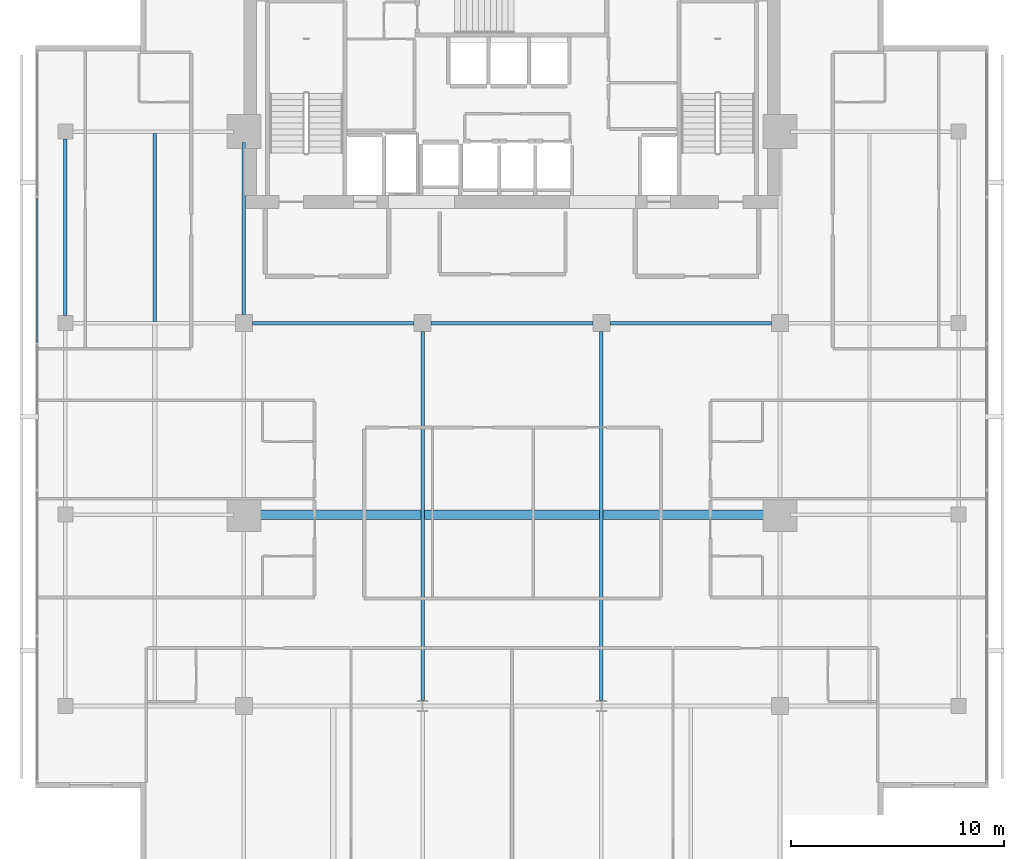
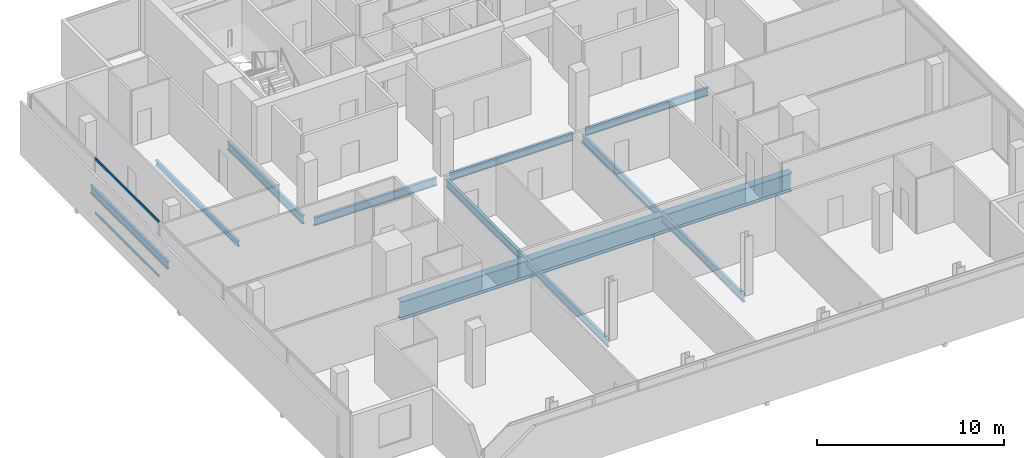
# One storey, part 9 of 25: 9 beams, 2 members, 1 element without a shape of its own.
"""IFC4 building model written with IfcOpenShell, lengths in metres."""

from ifc_helpers import new_model, si_unit, direction, frame, origin, origin_2d, place, context, subcontext, project, spatial, hollow_rectangle, i_section, extrude, material, layer, layer_set, material_profile, profile_set, type_object, element, aggregate, save


model = new_model("IFC4")

# Units and contexts
model_context = context("Model", 3, precision=1e-05, world=origin(), true_north=direction((0.0, 1.0)))
body_context = subcontext(model_context, "Body", "Model", "MODEL_VIEW")
ifc_project = project(units=[si_unit("LENGTHUNIT", "METRE"), si_unit("AREAUNIT", "SQUARE_METRE"), si_unit("VOLUMEUNIT", "CUBIC_METRE"), si_unit("PLANEANGLEUNIT", "RADIAN"), si_unit("MASSUNIT", "GRAM", prefix="KILO")], contexts=[model_context])

# Site, building, storey
site_placement = place(None, origin())
site = spatial("IfcSite", under=ifc_project, at=site_placement, CompositionType="ELEMENT")
building_placement = place(site_placement, origin())
building = spatial("IfcBuilding", under=site, at=building_placement, Name="Maruvema Waterfront Hotel and Observation Tower", CompositionType="ELEMENT")
storey_placement = place(building_placement, frame((0.0, 0.0, 281.75)))
storey = spatial("IfcBuildingStorey", under=building, at=storey_placement, Name="L69", CompositionType="ELEMENT", Elevation=281.75)

# Curtain wall, members
ifc_material_1 = material(Name="Anodised bronze aluminium and solar-control low-E IGU", Category="aluminium")
ifc_layer = layer(ifc_material_1, 0.159912109375, Name="Zone 3 Champagne Inner Thermal Curtain Wall System CW-04")
ifc_layer_set = layer_set([ifc_layer], Name="Anodised bronze aluminium and solar-control low-E IGU")
curtain_wall_type = type_object("IfcCurtainWallType", Name="Zone 3 Champagne Inner Thermal Curtain Wall System CW-04", PredefinedType="USERDEFINED", material=ifc_layer_set)
curtain_wall_placement = place(storey_placement, origin())
curtain_wall = element("IfcCurtainWall", 1, at=curtain_wall_placement, inside=storey, type_object=curtain_wall_type, Name="L69 Curtain Wall CW-L69-W", ObjectType="UNITISED CURTAIN WALL", PredefinedType="USERDEFINED")
ifc_material_2 = material(Name="Anodised architectural bronze aluminium", Category="aluminium")
ifc_material_profile_1 = material_profile(ifc_material_2, hollow_rectangle(XDim=0.070068359375, YDim=0.14990234375, WallThickness=0.00390625, at=origin_2d()), Name="ALU-T70x150")
ifc_profile_set_1 = profile_set([ifc_material_profile_1], Name="Anodised architectural bronze aluminium")
member_type = type_object("IfcMemberType", Name="Curtain Wall Horizontal Transom ALU-T70x150", PredefinedType="USERDEFINED", material=ifc_profile_set_1)
member_1_placement = place(storey_placement, frame((15.47998046875, 41.889892578125, 0.030029296875), z_axis=(0.0, -1.0, 0.0), x_axis=(1.0, 0.0, 0.0)))
member_1 = element("IfcMember", 2, at=member_1_placement, type_object=member_type, Name="CW-04 transom 2.1", ObjectType="TRANSOM", PredefinedType="USERDEFINED", context=body_context, shape_type="SweptSolid", body=[
    extrude(hollow_rectangle(XDim=0.070068359375, YDim=0.14990234375, WallThickness=0.00390625, at=origin_2d()), origin(), (0.0, 0.0, 1.0), 6.81982421875),
])
member_2_placement = place(storey_placement, frame((15.47998046875, 41.889892578125, 3.580078125), z_axis=(0.0, -1.0, 0.0), x_axis=(1.0, 0.0, 0.0)))
member_2 = element("IfcMember", 3, at=member_2_placement, type_object=member_type, Name="CW-04 transom 2.2", ObjectType="TRANSOM", PredefinedType="USERDEFINED", context=body_context, shape_type="SweptSolid", body=[
    extrude(hollow_rectangle(XDim=0.070068359375, YDim=0.14990234375, WallThickness=0.00390625, at=origin_2d()), origin(), (0.0, 0.0, 1.0), 6.81982421875),
])
aggregate(curtain_wall, [member_1, member_2])

# Beams
ifc_material_3 = material(Name="Steel ASTM A572 Grade 50", Category="steel")
ifc_material_profile_2 = material_profile(ifc_material_3, i_section(OverallWidth=0.166015625, OverallDepth=0.529052734375, WebThickness=0.009765625, FlangeThickness=0.013671875, FilletRadius=0.014892578125, at=origin_2d()), Name="W530x74.0")
ifc_profile_set_2 = profile_set([ifc_material_profile_2], Name="Steel ASTM A572 Grade 50")
beam_type_1 = type_object("IfcBeamType", Name="Primary Floor Girder W530x74.0", PredefinedType="BEAM", material=ifc_profile_set_2)
beam_1_placement = place(storey_placement, frame((25.60009765625, 36.0, -0.50439453125), z_axis=(1.0, 0.0, 0.0), x_axis=(0.0, 1.0, 0.0)))
element("IfcBeam", 4, at=beam_1_placement, inside=storey, type_object=beam_type_1, Name="L69 Floor Girder EW-13", PredefinedType="BEAM", context=body_context, shape_type="SweptSolid", body=[
    extrude(i_section(OverallWidth=0.166015625, OverallDepth=0.529052734375, WebThickness=0.009765625, FlangeThickness=0.013671875, FilletRadius=0.014892578125, at=origin_2d()), origin(), (0.0, 0.0, 1.0), 7.599853515625),
])
for number, where, z_axis, x_axis, name in (
    (5, (34.0, 36.0, -0.50439453125), (1.0, 0.0, 0.0), (0.0, 1.0, 0.0), "L69 Floor Girder EW-14"),
    (6, (42.39990234375, 36.0, -0.50439453125), (1.0, 0.0, 0.0), (0.0, 1.0, 0.0), "L69 Floor Girder EW-15"),
):
    element("IfcBeam", number, at=place(storey_placement, frame(where, z_axis=z_axis, x_axis=x_axis)), inside=storey, type_object=beam_type_1, Name=name, PredefinedType="BEAM", context=body_context, shape_type="SweptSolid", body=[
        extrude(i_section(OverallWidth=0.166015625, OverallDepth=0.529052734375, WebThickness=0.009765625, FlangeThickness=0.013671875, FilletRadius=0.014892578125, at=origin_2d()), origin(), (0.0, 0.0, 1.0), 7.60009765625),
    ])
beam_2_placement = place(storey_placement, frame((16.800048828125, 36.35009765625, -0.50439453125), z_axis=(0.0, 1.0, 0.0), x_axis=(-1.0, 0.0, 0.0)))
element("IfcBeam", 7, at=beam_2_placement, inside=storey, type_object=beam_type_1, Name="L69 Floor Girder NS-03", PredefinedType="BEAM", context=body_context, shape_type="SweptSolid", body=[
    extrude(i_section(OverallWidth=0.166015625, OverallDepth=0.529052734375, WebThickness=0.009765625, FlangeThickness=0.013671875, FilletRadius=0.014892578125, at=origin_2d()), origin(), (0.0, 0.0, 1.0), 8.2998046875),
])
beam_3_placement = place(storey_placement, frame((25.199951171875, 36.39990234375, -0.50439453125), z_axis=(0.0, 1.0, 0.0), x_axis=(-1.0, 0.0, 0.0)))
element("IfcBeam", 8, at=beam_3_placement, inside=storey, type_object=beam_type_1, Name="L69 Floor Girder NS-07", PredefinedType="BEAM", context=body_context, shape_type="SweptSolid", body=[
    extrude(i_section(OverallWidth=0.166015625, OverallDepth=0.529052734375, WebThickness=0.009765625, FlangeThickness=0.013671875, FilletRadius=0.014892578125, at=origin_2d()), origin(), (0.0, 0.0, 1.0), 8.10009765625),
])
for number, where, z_axis, x_axis, name in (
    (9, (33.60009765625, 18.25, -0.50439453125), (0.0, 1.0, 0.0), (-1.0, 0.0, 0.0), "L69 Floor Girder NS-09"),
    (10, (42.0, 18.25, -0.50439453125), (0.0, 1.0, 0.0), (-1.0, 0.0, 0.0), "L69 Floor Girder NS-11"),
):
    element("IfcBeam", number, at=place(storey_placement, frame(where, z_axis=z_axis, x_axis=x_axis)), inside=storey, type_object=beam_type_1, Name=name, PredefinedType="BEAM", context=body_context, shape_type="SweptSolid", body=[
        extrude(i_section(OverallWidth=0.166015625, OverallDepth=0.529052734375, WebThickness=0.009765625, FlangeThickness=0.013671875, FilletRadius=0.014892578125, at=origin_2d()), origin(), (0.0, 0.0, 1.0), 17.35009765625),
    ])
ifc_material_4 = material(Name="Steel ASTM A572 Grade 50", Category="steel")
ifc_material_profile_3 = material_profile(ifc_material_4, i_section(OverallWidth=0.1708984375, OverallDepth=0.35498046875, WebThickness=0.007080078125, FlangeThickness=0.01171875, FilletRadius=0.014892578125, at=origin_2d()), Name="W360x51.0")
ifc_profile_set_3 = profile_set([ifc_material_profile_3], Name="Steel ASTM A572 Grade 50")
beam_type_2 = type_object("IfcBeamType", Name="Secondary Floor Joist W360x51.0", PredefinedType="JOIST", material=ifc_profile_set_3)
beam_4_placement = place(storey_placement, frame((21.0, 36.0830078125, -0.41748046875), z_axis=(0.0, 1.0, 0.0), x_axis=(-1.0, 0.0, 0.0)))
element("IfcBeam", 11, at=beam_4_placement, inside=storey, type_object=beam_type_2, Name="L69 Secondary Floor Joist JS-03", PredefinedType="JOIST", context=body_context, shape_type="SweptSolid", body=[
    extrude(i_section(OverallWidth=0.1708984375, OverallDepth=0.35498046875, WebThickness=0.007080078125, FlangeThickness=0.01171875, FilletRadius=0.014892578125, at=origin_2d()), origin(), (0.0, 0.0, 1.0), 8.833984375),
])
ifc_material_5 = material(Name="Steel ABNT NBR 7007 AR 415 (ASTM A572 Grade 50)", Category="steel")
ifc_material_profile_4 = material_profile(ifc_material_5, i_section(OverallWidth=0.449951171875, OverallDepth=1.199951171875, WebThickness=0.01904296875, FlangeThickness=0.031982421875, at=origin_2d()), Name="VS1200x366")
ifc_profile_set_4 = profile_set([ifc_material_profile_4], Name="Steel ABNT NBR 7007 AR 415 (ASTM A572 Grade 50)")
beam_type_3 = type_object("IfcBeamType", Name="Upper Setback Transfer Girder VS1200x366", PredefinedType="USERDEFINED", material=ifc_profile_set_4)
beam_5_placement = place(storey_placement, frame((25.699951171875, 27.0, -0.840087890625), z_axis=(1.0, 0.0, 0.0), x_axis=(0.0, 1.0, 0.0)))
element("IfcBeam", 12, at=beam_5_placement, inside=storey, type_object=beam_type_3, Name="L69 Floor Girder EW-10", ObjectType="TRANSFER GIRDER", PredefinedType="USERDEFINED", context=body_context, shape_type="SweptSolid", body=[
    extrude(i_section(OverallWidth=0.449951171875, OverallDepth=1.199951171875, WebThickness=0.01904296875, FlangeThickness=0.031982421875, at=origin_2d()), origin(), (0.0, 0.0, 1.0), 24.199951171875),
])

save(model, "model.ifc")
